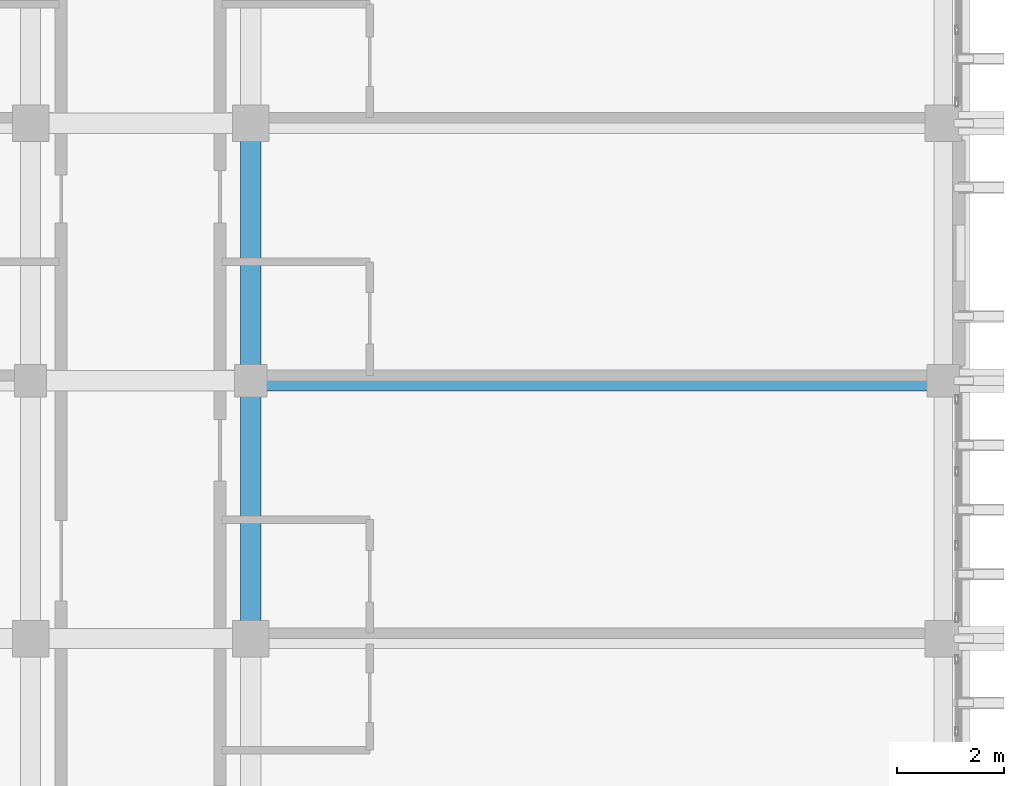
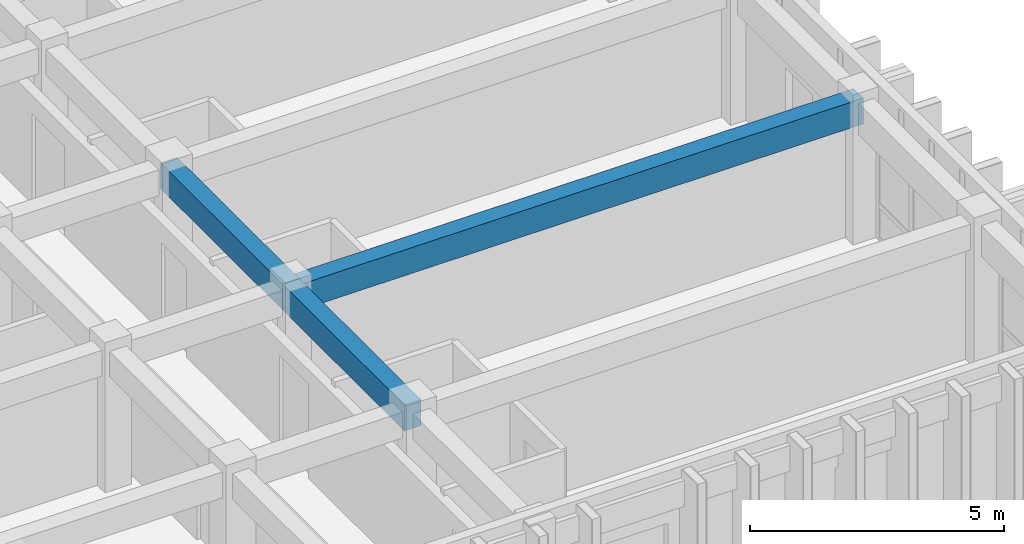
# One storey, part 7 of 53: 3 beams.
"""IFC4 building model written with IfcOpenShell, lengths in metres."""

from ifc_helpers import new_model, si_unit, direction, frame, origin, origin_2d, place, context, subcontext, project, spatial, rectangle, extrude, material, material_profile, profile_set, type_object, element, save


model = new_model("IFC4")

# Units and contexts
model_context = context("Model", 3, precision=1e-05, world=origin(), true_north=direction((0.0, 1.0)))
body_context = subcontext(model_context, "Body", "Model", "MODEL_VIEW")
ifc_project = project(units=[si_unit("LENGTHUNIT", "METRE"), si_unit("AREAUNIT", "SQUARE_METRE"), si_unit("VOLUMEUNIT", "CUBIC_METRE"), si_unit("PLANEANGLEUNIT", "RADIAN"), si_unit("MASSUNIT", "GRAM", prefix="KILO")], contexts=[model_context])

# Site, building, storey
site_placement = place(None, origin())
site = spatial("IfcSite", under=ifc_project, at=site_placement, CompositionType="ELEMENT")
building_placement = place(site_placement, origin())
building = spatial("IfcBuilding", under=site, at=building_placement, Name="Nakhvara Creek Congress Hotel", CompositionType="ELEMENT")
storey_placement = place(building_placement, frame((0.0, 0.0, 35.39990234375)))
storey = spatial("IfcBuildingStorey", under=building, at=storey_placement, Name="L08", CompositionType="ELEMENT", Elevation=35.39990234375)

# Beams
ifc_material = material(Name="Concrete C40/50", Category="concrete")
ifc_material_profile = material_profile(ifc_material, rectangle(XDim=0.3798828125, YDim=0.6201171875, at=origin_2d()), Name="RC-BM 380x620", Category="LoadBearing")
ifc_profile_set = profile_set([ifc_material_profile], Name="Concrete C40/50")
beam_type = type_object("IfcBeamType", Name="BM-RC-380X620", PredefinedType="BEAM", material=ifc_profile_set)
beam_1_placement = place(storey_placement, frame((166.449951171875, 57.60009765625, 3.050048828125), z_axis=(0.0, 1.0, 0.0), x_axis=(-1.0, 0.0, 0.0)))
element("IfcBeam", 1, at=beam_1_placement, inside=storey, type_object=beam_type, Name="Beam B10-L08-2475", PredefinedType="BEAM", context=body_context, shape_type="SweptSolid", body=[
    extrude(rectangle(XDim=0.3798828125, YDim=0.6201171875, at=origin_2d()), origin(), (0.0, 0.0, 1.0), 4.7998046875),
])
beam_2_placement = place(storey_placement, frame((166.449951171875, 62.39990234375, 3.050048828125), z_axis=(0.0, 1.0, 0.0), x_axis=(-1.0, 0.0, 0.0)))
element("IfcBeam", 2, at=beam_2_placement, inside=storey, type_object=beam_type, Name="Beam B10-L08-2477", PredefinedType="BEAM", context=body_context, shape_type="SweptSolid", body=[
    extrude(rectangle(XDim=0.3798828125, YDim=0.6201171875, at=origin_2d()), origin(), (0.0, 0.0, 1.0), 4.800048828125),
])
beam_3_placement = place(storey_placement, frame((166.449951171875, 62.39990234375, 3.050048828125), z_axis=(1.0, 0.0, 0.0), x_axis=(0.0, 1.0, 0.0)))
element("IfcBeam", 3, at=beam_3_placement, inside=storey, type_object=beam_type, Name="Beam B10-L08-2526", PredefinedType="BEAM", context=body_context, shape_type="SweptSolid", body=[
    extrude(rectangle(XDim=0.3798828125, YDim=0.6201171875, at=origin_2d()), origin(), (0.0, 0.0, 1.0), 12.900146484375),
])

save(model, "model.ifc")
